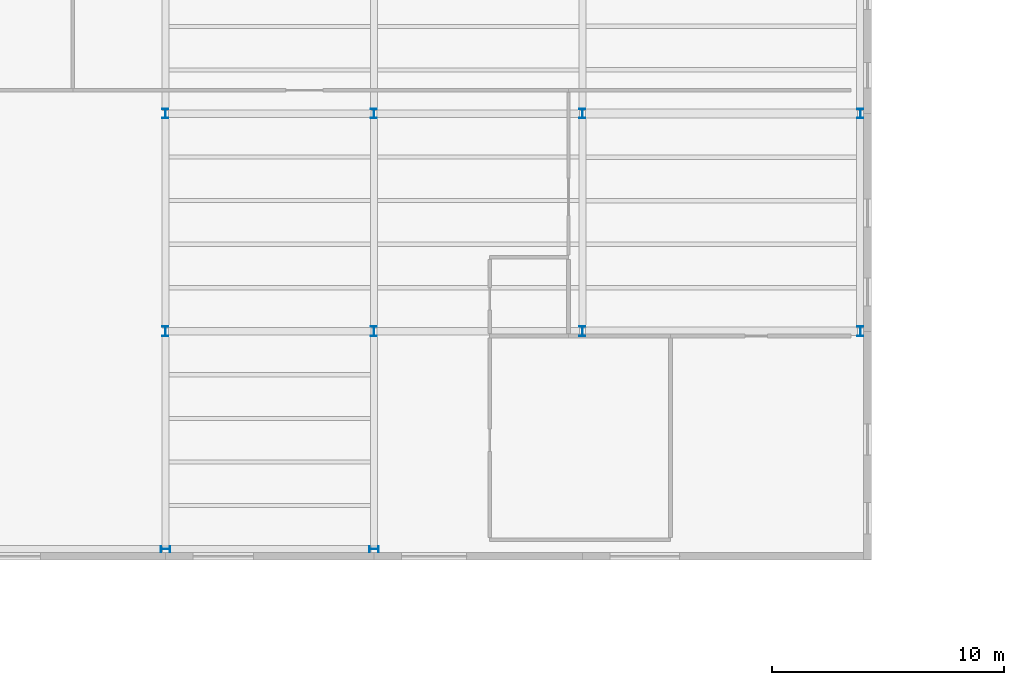
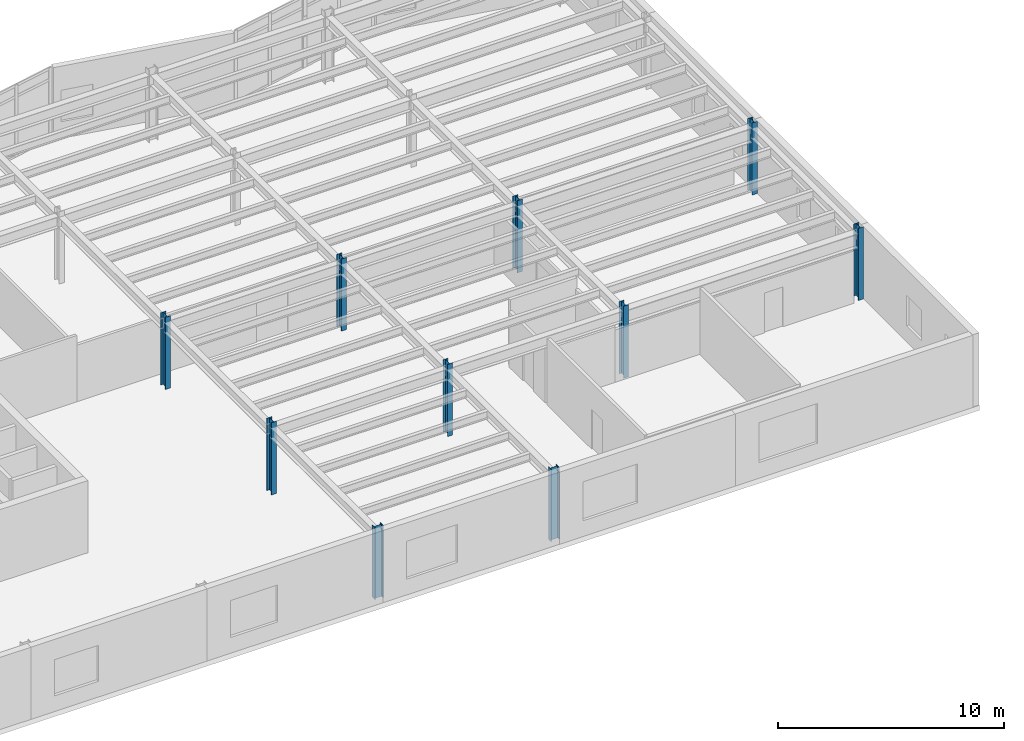
# One storey, part 5 of 46: 10 columns.
"""IFC4 building model written with IfcOpenShell, lengths in metres."""

from ifc_helpers import new_model, si_unit, direction, frame, origin, origin_2d, place, context, subcontext, project, spatial, i_section, extrude, material, material_profile, profile_set, type_object, element, save


model = new_model("IFC4")

# Units and contexts
model_context = context("Model", 3, precision=1e-05, world=origin(), true_north=direction((0.0, 1.0)))
body_context = subcontext(model_context, "Body", "Model", "MODEL_VIEW")
ifc_project = project(units=[si_unit("LENGTHUNIT", "METRE"), si_unit("AREAUNIT", "SQUARE_METRE"), si_unit("VOLUMEUNIT", "CUBIC_METRE"), si_unit("PLANEANGLEUNIT", "RADIAN"), si_unit("MASSUNIT", "GRAM", prefix="KILO")], contexts=[model_context])

# Site, building, storey
site_placement = place(None, origin())
site = spatial("IfcSite", under=ifc_project, at=site_placement, CompositionType="ELEMENT")
building_placement = place(site_placement, origin())
building = spatial("IfcBuilding", under=site, at=building_placement, Name="Sollismere Congress Hotel", CompositionType="ELEMENT")
storey_placement = place(building_placement, frame((0.0, 0.0, 19.5)))
storey = spatial("IfcBuildingStorey", under=building, at=storey_placement, Name="L04", CompositionType="ELEMENT", Elevation=19.5)

# Columns
ifc_material = material(Name="Steel ASTM A992 Grade 50", Category="steel")
ifc_material_profile = material_profile(ifc_material, i_section(OverallWidth=0.261962890625, OverallDepth=0.4189453125, WebThickness=0.01171875, FlangeThickness=0.019287109375, at=origin_2d()), Name="W16X77")
ifc_profile_set = profile_set([ifc_material_profile], Name="Steel ASTM A992 Grade 50")
column_type = type_object("IfcColumnType", Name="COL-W16", PredefinedType="COLUMN", material=ifc_profile_set)
for number, where, z_axis, x_axis, name in (
    (1, (94.0, 66.800048828125, 0.0), (0.0, 0.0, 1.0), (0.0, 1.0, 0.0), "Column CL-L04-488"),
    (2, (94.0, 76.199951171875, 0.0), (0.0, 0.0, 1.0), (1.0, 0.0, 0.0), "Column CL-L04-494"),
    (3, (94.0, 85.60009765625, 0.0), (0.0, 0.0, 1.0), (1.0, 0.0, 0.0), "Column CL-L04-500"),
    (4, (103.0, 66.800048828125, 0.0), (0.0, 0.0, 1.0), (0.0, 1.0, 0.0), "Column CL-L04-546"),
    (5, (103.0, 76.199951171875, 0.0), (0.0, 0.0, 1.0), (1.0, 0.0, 0.0), "Column CL-L04-552"),
    (6, (103.0, 85.60009765625, 0.0), (0.0, 0.0, 1.0), (1.0, 0.0, 0.0), "Column CL-L04-558"),
    (7, (112.0, 76.199951171875, 0.0), (0.0, 0.0, 1.0), (1.0, 0.0, 0.0), "Column CL-L04-630"),
    (8, (112.0, 85.60009765625, 0.0), (0.0, 0.0, 1.0), (1.0, 0.0, 0.0), "Column CL-L04-636"),
    (9, (124.0, 76.199951171875, 0.0), (0.0, 0.0, 1.0), (1.0, 0.0, 0.0), "Column CL-L04-712"),
    (10, (124.0, 85.60009765625, 0.0), (0.0, 0.0, 1.0), (1.0, 0.0, 0.0), "Column CL-L04-718"),
):
    element("IfcColumn", number, at=place(storey_placement, frame(where, z_axis=z_axis, x_axis=x_axis)), inside=storey, type_object=column_type, Name=name, PredefinedType="COLUMN", context=body_context, shape_type="SweptSolid", body=[
        extrude(i_section(OverallWidth=0.261962890625, OverallDepth=0.4189453125, WebThickness=0.01171875, FlangeThickness=0.019287109375, at=origin_2d()), origin(), (0.0, 0.0, 1.0), 3.89990234375),
    ])

save(model, "model.ifc")
